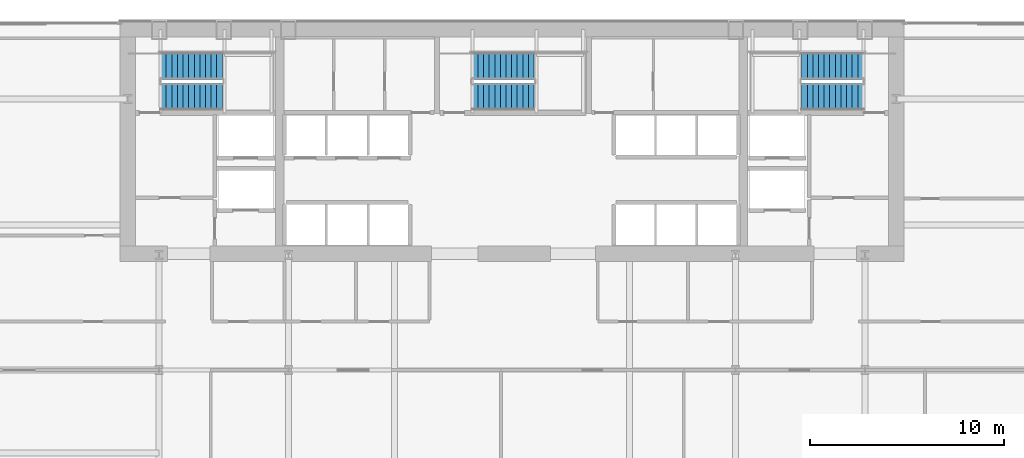
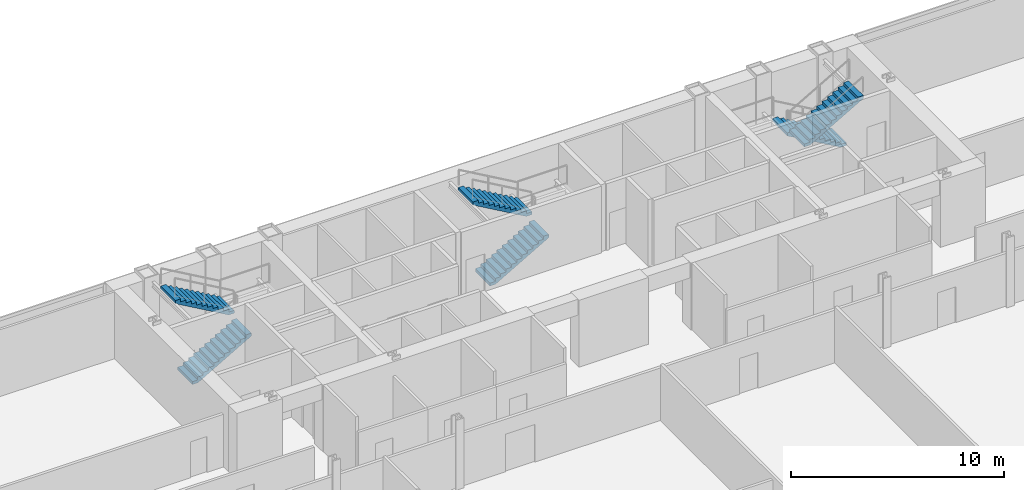
# One storey, part 30 of 32: 6 stair flights, 3 elements without a shape of their own.
"""IFC4 building model written with IfcOpenShell, lengths in metres."""

from ifc_helpers import new_model, si_unit, direction, frame, origin, place, context, subcontext, project, spatial, polyline, outline, extrude, material, type_object, element, aggregate, save


model = new_model("IFC4")

# Units and contexts
model_context = context("Model", 3, precision=1e-05, world=origin(), true_north=direction((0.0, 1.0)))
body_context = subcontext(model_context, "Body", "Model", "MODEL_VIEW")
ifc_project = project(units=[si_unit("LENGTHUNIT", "METRE"), si_unit("AREAUNIT", "SQUARE_METRE"), si_unit("VOLUMEUNIT", "CUBIC_METRE"), si_unit("PLANEANGLEUNIT", "RADIAN"), si_unit("MASSUNIT", "GRAM", prefix="KILO")], contexts=[model_context])

# Site, building, storey
site_placement = place(None, origin())
site = spatial("IfcSite", under=ifc_project, at=site_placement, CompositionType="ELEMENT")
building_placement = place(site_placement, origin())
building = spatial("IfcBuilding", under=site, at=building_placement, Name="Khoronbel Lancet Exchange", CompositionType="ELEMENT")
storey_placement = place(building_placement, frame((0.0, 0.0, 41.800048828125)))
storey = spatial("IfcBuildingStorey", under=building, at=storey_placement, Name="L09", CompositionType="ELEMENT", Elevation=41.800048828125)

# Stair, stair flights
ifc_material = material(Name="Concrete C40/50", Category="concrete")
stair_type = type_object("IfcStairType", Name="STR-CORE150", PredefinedType="HALF_TURN_STAIR", material=ifc_material)
stair_1_placement = place(storey_placement, origin())
stair_1 = element("IfcStair", 1, at=stair_1_placement, inside=storey, type_object=stair_type, Name="L09 Protected Exit Stair ST1", PredefinedType="HALF_TURN_STAIR")
stair_flight_type = type_object("IfcStairFlightType", Name="STF-150", PredefinedType="STRAIGHT", material=ifc_material)
stair_flight_1_placement = place(storey_placement, frame((18.300048828125, 49.81005859375, 0.0), z_axis=(0.0, 0.0, 1.0), x_axis=(1.0, 0.0, 0.0)))
stair_flight_1 = element("IfcStairFlight", 2, at=stair_flight_1_placement, type_object=stair_flight_type, Name="ST1 flight 1", NumberOfRisers=12, NumberOfTreads=11, PredefinedType="STRAIGHT", RiserHeight=0.166666667, TreadLength=0.29, context=body_context, shape_type="SweptSolid", body=[
    extrude(outline(polyline([(0.0, 0.0), (0.0, 0.166748046875), (0.2900390625, 0.166748046875), (0.2900390625, 0.333251953125), (0.580078125, 0.333251953125), (0.580078125, 0.5), (0.8701171875, 0.5), (0.8701171875, 0.666748046875), (1.159912109375, 0.666748046875), (1.159912109375, 0.833251953125), (1.449951171875, 0.833251953125), (1.449951171875, 1.0), (1.739990234375, 1.0), (1.739990234375, 1.166748046875), (2.030029296875, 1.166748046875), (2.030029296875, 1.333251953125), (2.320068359375, 1.333251953125), (2.320068359375, 1.5), (2.610107421875, 1.5), (2.610107421875, 1.666748046875), (2.89990234375, 1.666748046875), (2.89990234375, 1.833251953125), (3.18994140625, 1.833251953125), (3.18994140625, 2.0), (3.18994140625, 1.660400390625), (0.30078125, 0.0), (0.0, 0.0)])), frame((0.0, 0.68994140625, 0.0), z_axis=(0.0, -1.0, 0.0), x_axis=(1.0, 0.0, 0.0)), (0.0, 0.0, 1.0), 1.3798828125),
])
stair_flight_2_placement = place(storey_placement, frame((21.489990234375, 51.409912109375, 2.0), z_axis=(0.0, 0.0, 1.0), x_axis=(-1.0, 0.0, 0.0)))
stair_flight_2 = element("IfcStairFlight", 3, at=stair_flight_2_placement, type_object=stair_flight_type, Name="ST1 flight 2", NumberOfRisers=12, NumberOfTreads=11, PredefinedType="STRAIGHT", RiserHeight=0.166666667, TreadLength=0.29, context=body_context, shape_type="SweptSolid", body=[
    extrude(outline(polyline([(0.0, 0.0), (0.0, 0.166748046875), (0.2900390625, 0.166748046875), (0.2900390625, 0.333251953125), (0.580078125, 0.333251953125), (0.580078125, 0.5), (0.8701171875, 0.5), (0.8701171875, 0.666748046875), (1.159912109375, 0.666748046875), (1.159912109375, 0.833251953125), (1.449951171875, 0.833251953125), (1.449951171875, 1.0), (1.739990234375, 1.0), (1.739990234375, 1.166748046875), (2.030029296875, 1.166748046875), (2.030029296875, 1.333251953125), (2.320068359375, 1.333251953125), (2.320068359375, 1.5), (2.610107421875, 1.5), (2.610107421875, 1.666748046875), (2.89990234375, 1.666748046875), (2.89990234375, 1.833251953125), (3.18994140625, 1.833251953125), (3.18994140625, 2.0), (3.18994140625, 1.660400390625), (0.30078125, 0.0), (0.0, 0.0)])), frame((0.0, 0.68994140625, 0.0), z_axis=(0.0, -1.0, 0.0), x_axis=(1.0, 0.0, 0.0)), (0.0, 0.0, 1.0), 1.3798828125),
])
aggregate(stair_1, [stair_flight_1, stair_flight_2])

stair_2_placement = place(storey_placement, origin())
stair_2 = element("IfcStair", 4, at=stair_2_placement, inside=storey, type_object=stair_type, Name="L09 Protected Exit Stair ST2", PredefinedType="HALF_TURN_STAIR")
stair_flight_3_placement = place(storey_placement, frame((54.60009765625, 51.409912109375, 0.0), z_axis=(0.0, 0.0, 1.0), x_axis=(-1.0, 0.0, 0.0)))
stair_flight_3 = element("IfcStairFlight", 5, at=stair_flight_3_placement, type_object=stair_flight_type, Name="ST2 flight 1", NumberOfRisers=12, NumberOfTreads=11, PredefinedType="STRAIGHT", RiserHeight=0.166666667, TreadLength=0.29, context=body_context, shape_type="SweptSolid", body=[
    extrude(outline(polyline([(0.0, 0.0), (0.0, 0.166748046875), (0.2900390625, 0.166748046875), (0.2900390625, 0.333251953125), (0.580078125, 0.333251953125), (0.580078125, 0.5), (0.8701171875, 0.5), (0.8701171875, 0.666748046875), (1.159912109375, 0.666748046875), (1.159912109375, 0.833251953125), (1.449951171875, 0.833251953125), (1.449951171875, 1.0), (1.739990234375, 1.0), (1.739990234375, 1.166748046875), (2.030029296875, 1.166748046875), (2.030029296875, 1.333251953125), (2.320068359375, 1.333251953125), (2.320068359375, 1.5), (2.610107421875, 1.5), (2.610107421875, 1.666748046875), (2.89990234375, 1.666748046875), (2.89990234375, 1.833251953125), (3.18994140625, 1.833251953125), (3.18994140625, 2.0), (3.18994140625, 1.660400390625), (0.30078125, 0.0), (0.0, 0.0)])), frame((0.0, 0.68994140625, 0.0), z_axis=(0.0, -1.0, 0.0), x_axis=(1.0, 0.0, 0.0)), (0.0, 0.0, 1.0), 1.3798828125),
])
stair_flight_4_placement = place(storey_placement, frame((51.409912109375, 49.81005859375, 2.0), z_axis=(0.0, 0.0, 1.0), x_axis=(1.0, 0.0, 0.0)))
stair_flight_4 = element("IfcStairFlight", 6, at=stair_flight_4_placement, type_object=stair_flight_type, Name="ST2 flight 2", NumberOfRisers=12, NumberOfTreads=11, PredefinedType="STRAIGHT", RiserHeight=0.166666667, TreadLength=0.29, context=body_context, shape_type="SweptSolid", body=[
    extrude(outline(polyline([(0.0, 0.0), (0.0, 0.166748046875), (0.2900390625, 0.166748046875), (0.2900390625, 0.333251953125), (0.580078125, 0.333251953125), (0.580078125, 0.5), (0.8701171875, 0.5), (0.8701171875, 0.666748046875), (1.159912109375, 0.666748046875), (1.159912109375, 0.833251953125), (1.449951171875, 0.833251953125), (1.449951171875, 1.0), (1.739990234375, 1.0), (1.739990234375, 1.166748046875), (2.030029296875, 1.166748046875), (2.030029296875, 1.333251953125), (2.320068359375, 1.333251953125), (2.320068359375, 1.5), (2.610107421875, 1.5), (2.610107421875, 1.666748046875), (2.89990234375, 1.666748046875), (2.89990234375, 1.833251953125), (3.18994140625, 1.833251953125), (3.18994140625, 2.0), (3.18994140625, 1.660400390625), (0.30078125, 0.0), (0.0, 0.0)])), frame((0.0, 0.68994140625, 0.0), z_axis=(0.0, -1.0, 0.0), x_axis=(1.0, 0.0, 0.0)), (0.0, 0.0, 1.0), 1.3798828125),
])
aggregate(stair_2, [stair_flight_3, stair_flight_4])

stair_3_placement = place(storey_placement, origin())
stair_3 = element("IfcStair", 7, at=stair_3_placement, inside=storey, type_object=stair_type, Name="L09 Protected Exit Stair ST3", PredefinedType="HALF_TURN_STAIR")
stair_flight_5_placement = place(storey_placement, frame((34.39990234375, 49.81005859375, 0.0), z_axis=(0.0, 0.0, 1.0), x_axis=(1.0, 0.0, 0.0)))
stair_flight_5 = element("IfcStairFlight", 8, at=stair_flight_5_placement, type_object=stair_flight_type, Name="ST3 flight 1", NumberOfRisers=12, NumberOfTreads=11, PredefinedType="STRAIGHT", RiserHeight=0.166666667, TreadLength=0.29, context=body_context, shape_type="SweptSolid", body=[
    extrude(outline(polyline([(0.0, 0.0), (0.0, 0.166748046875), (0.2900390625, 0.166748046875), (0.2900390625, 0.333251953125), (0.580078125, 0.333251953125), (0.580078125, 0.5), (0.8701171875, 0.5), (0.8701171875, 0.666748046875), (1.159912109375, 0.666748046875), (1.159912109375, 0.833251953125), (1.449951171875, 0.833251953125), (1.449951171875, 1.0), (1.739990234375, 1.0), (1.739990234375, 1.166748046875), (2.030029296875, 1.166748046875), (2.030029296875, 1.333251953125), (2.320068359375, 1.333251953125), (2.320068359375, 1.5), (2.610107421875, 1.5), (2.610107421875, 1.666748046875), (2.89990234375, 1.666748046875), (2.89990234375, 1.833251953125), (3.18994140625, 1.833251953125), (3.18994140625, 2.0), (3.18994140625, 1.660400390625), (0.30078125, 0.0), (0.0, 0.0)])), frame((0.0, 0.68994140625, 0.0), z_axis=(0.0, -1.0, 0.0), x_axis=(1.0, 0.0, 0.0)), (0.0, 0.0, 1.0), 1.3798828125),
])
stair_flight_6_placement = place(storey_placement, frame((37.590087890625, 51.409912109375, 2.0), z_axis=(0.0, 0.0, 1.0), x_axis=(-1.0, 0.0, 0.0)))
stair_flight_6 = element("IfcStairFlight", 9, at=stair_flight_6_placement, type_object=stair_flight_type, Name="ST3 flight 2", NumberOfRisers=12, NumberOfTreads=11, PredefinedType="STRAIGHT", RiserHeight=0.166666667, TreadLength=0.29, context=body_context, shape_type="SweptSolid", body=[
    extrude(outline(polyline([(0.0, 0.0), (0.0, 0.166748046875), (0.2900390625, 0.166748046875), (0.2900390625, 0.333251953125), (0.580078125, 0.333251953125), (0.580078125, 0.5), (0.8701171875, 0.5), (0.8701171875, 0.666748046875), (1.159912109375, 0.666748046875), (1.159912109375, 0.833251953125), (1.449951171875, 0.833251953125), (1.449951171875, 1.0), (1.739990234375, 1.0), (1.739990234375, 1.166748046875), (2.030029296875, 1.166748046875), (2.030029296875, 1.333251953125), (2.320068359375, 1.333251953125), (2.320068359375, 1.5), (2.610107421875, 1.5), (2.610107421875, 1.666748046875), (2.89990234375, 1.666748046875), (2.89990234375, 1.833251953125), (3.18994140625, 1.833251953125), (3.18994140625, 2.0), (3.18994140625, 1.660400390625), (0.30078125, 0.0), (0.0, 0.0)])), frame((0.0, 0.68994140625, 0.0), z_axis=(0.0, -1.0, 0.0), x_axis=(1.0, 0.0, 0.0)), (0.0, 0.0, 1.0), 1.3798828125),
])
aggregate(stair_3, [stair_flight_5, stair_flight_6])

save(model, "model.ifc")
